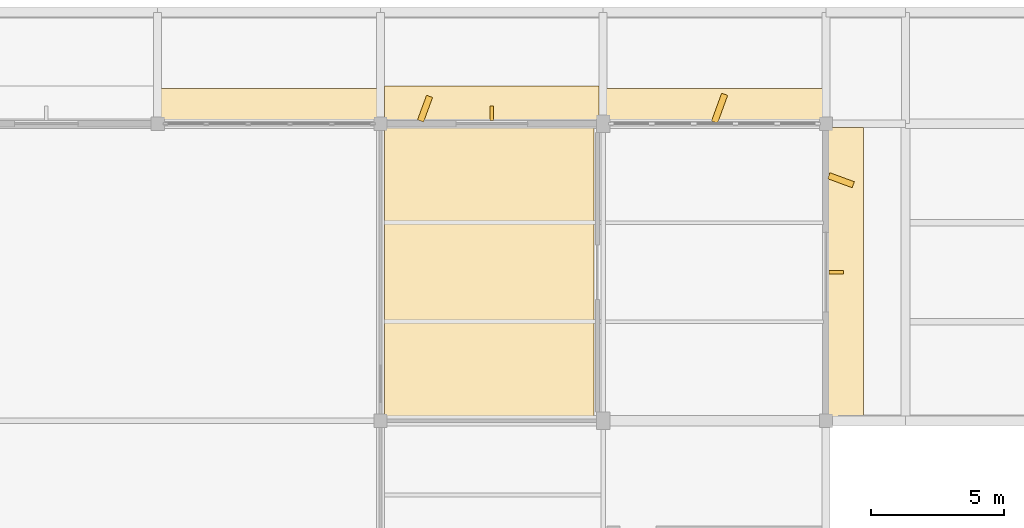
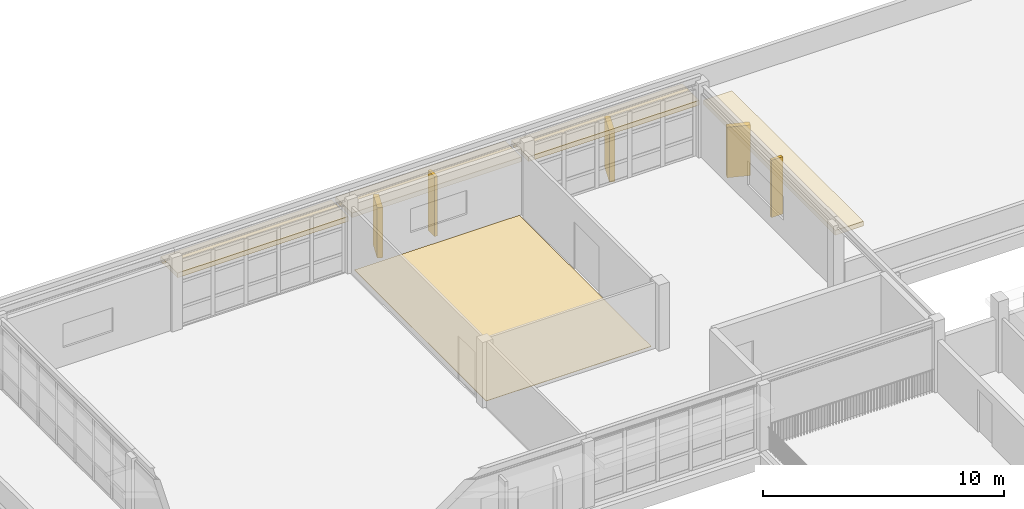
# One storey, part 85 of 92: 8 coverings, 2 shading devices.
"""IFC4 building model written with IfcOpenShell, lengths in metres."""

from ifc_helpers import new_model, si_unit, direction, frame, origin, origin_2d, place, context, subcontext, project, spatial, polyline, rectangle, outline, extrude, material, layer, layer_set, type_object, element, save


model = new_model("IFC4")

# Units and contexts
model_context = context("Model", 3, precision=1e-05, world=origin(), true_north=direction((0.0, 1.0)))
body_context = subcontext(model_context, "Body", "Model", "MODEL_VIEW")
ifc_project = project(units=[si_unit("LENGTHUNIT", "METRE"), si_unit("AREAUNIT", "SQUARE_METRE"), si_unit("VOLUMEUNIT", "CUBIC_METRE"), si_unit("PLANEANGLEUNIT", "RADIAN"), si_unit("MASSUNIT", "GRAM", prefix="KILO")], contexts=[model_context])

# Site, building, storey
site_placement = place(None, origin())
site = spatial("IfcSite", under=ifc_project, at=site_placement, CompositionType="ELEMENT")
building_placement = place(site_placement, origin())
building = spatial("IfcBuilding", under=site, at=building_placement, Name="Vanh Quang Courtyard School", CompositionType="ELEMENT")
storey_placement = place(building_placement, frame((0.0, 0.0, 7.800048828125)))
storey = spatial("IfcBuildingStorey", under=building, at=storey_placement, Name="L02", CompositionType="ELEMENT", Elevation=7.800048828125)

# Coverings
ifc_material_1 = material(Name="Polished cementitious terrazzo tile", Category="concrete")
ifc_layer_1 = layer(ifc_material_1, 0.02001953125)
ifc_layer_set_1 = layer_set([ifc_layer_1], Name="Polished cementitious terrazzo tile")
covering_type_1 = type_object("IfcCoveringType", Name="COV-FLR-TERRAZZO", PredefinedType="FLOORING", material=ifc_layer_set_1)
covering_1_placement = place(storey_placement, origin())
element("IfcCovering", 1, at=covering_1_placement, inside=storey, type_object=covering_type_1, Name="Covering CV-FL1 (L02)", PredefinedType="FLOORING", context=body_context, shape_type="SweptSolid", body=[
    extrude(outline(polyline([(21.14990234375, 107.659912109375), (21.14990234375, 107.660888671875), (21.150146484375, 107.662109375), (21.150390625, 107.662841796875), (21.15087890625, 107.663818359375), (21.151123046875, 107.664794921875), (21.151611328125, 107.66552734375), (21.15234375, 107.666259765625), (21.15283203125, 107.6669921875), (21.15380859375, 107.667724609375), (21.154296875, 107.668212890625), (21.1552734375, 107.668701171875), (21.15625, 107.669189453125), (21.156982421875, 107.669677734375), (21.157958984375, 107.669921875), (21.158935546875, 107.669921875), (21.159912109375, 107.669921875), (29.0400390625, 107.669921875), (29.041015625, 107.669921875), (29.0419921875, 107.669921875), (29.04296875, 107.669677734375), (29.043701171875, 107.669189453125), (29.044677734375, 107.668701171875), (29.045654296875, 107.668212890625), (29.04638671875, 107.667724609375), (29.047119140625, 107.6669921875), (29.047607421875, 107.666259765625), (29.04833984375, 107.66552734375), (29.048828125, 107.664794921875), (29.04931640625, 107.663818359375), (29.049560546875, 107.662841796875), (29.0498046875, 107.662109375), (29.050048828125, 107.660888671875), (29.050048828125, 107.659912109375), (29.050048828125, 96.949951171875), (29.050048828125, 96.949951171875), (29.050048828125, 96.739990234375), (29.050048828125, 96.739013671875), (29.0498046875, 96.738037109375), (29.049560546875, 96.737060546875), (29.04931640625, 96.736083984375), (29.048828125, 96.7353515625), (29.04833984375, 96.734375), (29.047607421875, 96.733642578125), (29.047119140625, 96.73291015625), (29.04638671875, 96.732421875), (29.045654296875, 96.731689453125), (29.044677734375, 96.731201171875), (29.043701171875, 96.730712890625), (29.04296875, 96.73046875), (29.0419921875, 96.730224609375), (29.041015625, 96.72998046875), (29.0400390625, 96.72998046875), (21.159912109375, 96.72998046875), (21.158935546875, 96.72998046875), (21.157958984375, 96.730224609375), (21.156982421875, 96.73046875), (21.15625, 96.730712890625), (21.1552734375, 96.731201171875), (21.154296875, 96.731689453125), (21.15380859375, 96.732421875), (21.15283203125, 96.73291015625), (21.15234375, 96.733642578125), (21.151611328125, 96.734375), (21.151123046875, 96.7353515625), (21.15087890625, 96.736083984375), (21.150390625, 96.737060546875), (21.150146484375, 96.738037109375), (21.14990234375, 96.739013671875), (21.14990234375, 96.739990234375), (21.14990234375, 107.659912109375)])), origin(), (0.0, 0.0, 1.0), 0.02001953125),
])
ifc_material_2 = material(Name="Board-marked precast concrete C40/50", Category="concrete")
ifc_layer_2 = layer(ifc_material_2, 0.239990234375)
ifc_layer_set_2 = layer_set([ifc_layer_2], Name="Board-marked precast concrete C40/50")
covering_type_2 = type_object("IfcCoveringType", Name="COV-HOOD-CONC", PredefinedType="CLADDING", material=ifc_layer_set_2)
covering_2_placement = place(storey_placement, frame((16.800048828125, 108.419921875, 2.5400390625), z_axis=(0.0, 0.0, 1.0), x_axis=(1.0, 0.0, 0.0)))
element("IfcCovering", 2, at=covering_2_placement, inside=storey, type_object=covering_type_2, Name="Covering CH-01 (L02)", PredefinedType="CLADDING", context=body_context, shape_type="SweptSolid", body=[
    extrude(rectangle(XDim=8.18408203125, YDim=1.39990234375, at=origin_2d()), origin(), (0.0, 0.0, 1.0), 0.239990234375),
])
covering_3_placement = place(storey_placement, frame((25.199951171875, 108.5400390625, 2.5400390625), z_axis=(0.0, 0.0, 1.0), x_axis=(1.0, 0.0, 0.0)))
element("IfcCovering", 3, at=covering_3_placement, inside=storey, type_object=covering_type_2, Name="Covering CH-01 (L02)", PredefinedType="CLADDING", context=body_context, shape_type="SweptSolid", body=[
    extrude(rectangle(XDim=8.10400390625, YDim=1.35009765625, at=origin_2d()), origin(), (0.0, 0.0, 1.0), 0.239990234375),
])
covering_4_placement = place(storey_placement, frame((22.6826171875, 108.3701171875, 0.0), z_axis=(0.0, 0.0, 1.0), x_axis=(0.346608245445, 0.938009980858, 0.0)))
element("IfcCovering", 4, at=covering_4_placement, inside=storey, type_object=covering_type_2, Name="Covering CH-01 (L02)", PredefinedType="CLADDING", context=body_context, shape_type="SweptSolid", body=[
    extrude(rectangle(XDim=0.980712890625, YDim=0.239990234375, at=origin_2d()), origin(), (0.0, 0.0, 1.0), 2.56005859375),
])
covering_5_placement = place(storey_placement, frame((33.60009765625, 108.419921875, 2.5400390625), z_axis=(0.0, 0.0, 1.0), x_axis=(1.0, 0.0, 0.0)))
element("IfcCovering", 5, at=covering_5_placement, inside=storey, type_object=covering_type_2, Name="Covering CH-01 (L02)", PredefinedType="CLADDING", context=body_context, shape_type="SweptSolid", body=[
    extrude(rectangle(XDim=8.18408203125, YDim=1.39990234375, at=origin_2d()), origin(), (0.0, 0.0, 1.0), 0.239990234375),
])
covering_6_placement = place(storey_placement, frame((33.7900390625, 108.385009765625, 0.0), z_axis=(0.0, 0.0, 1.0), x_axis=(0.340379550213, 0.94028812701, 0.0)))
element("IfcCovering", 6, at=covering_6_placement, inside=storey, type_object=covering_type_2, Name="Covering CH-01 (L02)", PredefinedType="CLADDING", context=body_context, shape_type="SweptSolid", body=[
    extrude(rectangle(XDim=1.11669921875, YDim=0.239990234375, at=origin_2d()), origin(), (0.0, 0.0, 1.0), 2.56005859375),
])
covering_7_placement = place(storey_placement, frame((38.5400390625, 102.199951171875, 2.5400390625), z_axis=(0.0, 0.0, 1.0), x_axis=(0.0, -1.0, 0.0)))
element("IfcCovering", 7, at=covering_7_placement, inside=storey, type_object=covering_type_2, Name="Covering CH-01 (L02)", PredefinedType="CLADDING", context=body_context, shape_type="SweptSolid", body=[
    extrude(rectangle(XDim=10.904052734375, YDim=1.35009765625, at=origin_2d()), origin(), (0.0, 0.0, 1.0), 0.239990234375),
])
covering_8_placement = place(storey_placement, frame((38.3701171875, 105.66943359375, 0.0), z_axis=(0.0, 0.0, 1.0), x_axis=(0.938009980858, -0.346608245445, 0.0)))
element("IfcCovering", 8, at=covering_8_placement, inside=storey, type_object=covering_type_2, Name="Covering CH-01 (L02)", PredefinedType="CLADDING", context=body_context, shape_type="SweptSolid", body=[
    extrude(rectangle(XDim=0.980712890625, YDim=0.239990234375, at=origin_2d()), origin(), (0.0, 0.0, 1.0), 2.56005859375),
])

# Shading devices
shading_device_type = type_object("IfcShadingDeviceType", Name="SHD-FIN-CONCRETE", PredefinedType="USERDEFINED", material=ifc_material_2)
shading_device_1_placement = place(storey_placement, frame((25.199951171875, 108.195068359375, 0.14990234375), z_axis=(0.0, 0.0, 1.0), x_axis=(1.0, 0.0, 0.0)))
element("IfcShadingDevice", 9, at=shading_device_1_placement, inside=storey, type_object=shading_device_type, Name="Solar Shading SH-02 (L02)", ObjectType="Solar Shading SH-02 (L02)", PredefinedType="USERDEFINED", context=body_context, shape_type="SweptSolid", body=[
    extrude(rectangle(XDim=0.139892578125, YDim=0.550048828125, at=origin_2d()), origin(), (0.0, 0.0, 1.0), 3.0400390625),
])
shading_device_2_placement = place(storey_placement, frame((38.195068359375, 102.199951171875, 0.14990234375), z_axis=(0.0, 0.0, 1.0), x_axis=(0.0, -1.0, 0.0)))
element("IfcShadingDevice", 10, at=shading_device_2_placement, inside=storey, type_object=shading_device_type, Name="Solar Shading SH-02 (L02)", ObjectType="Solar Shading SH-02 (L02)", PredefinedType="USERDEFINED", context=body_context, shape_type="SweptSolid", body=[
    extrude(rectangle(XDim=0.139892578125, YDim=0.550048828125, at=origin_2d()), origin(), (0.0, 0.0, 1.0), 2.89990234375),
])

save(model, "model.ifc")
